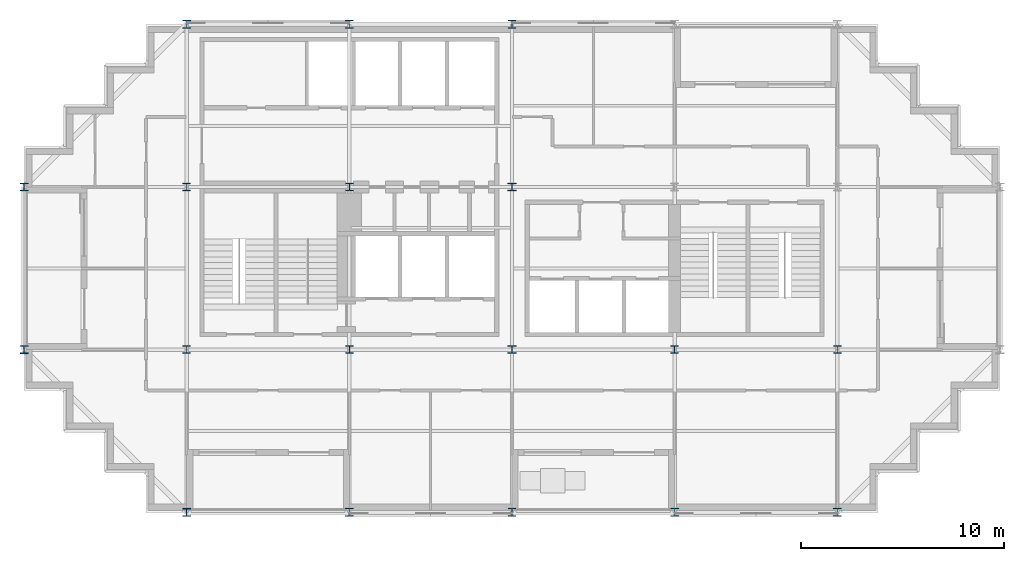
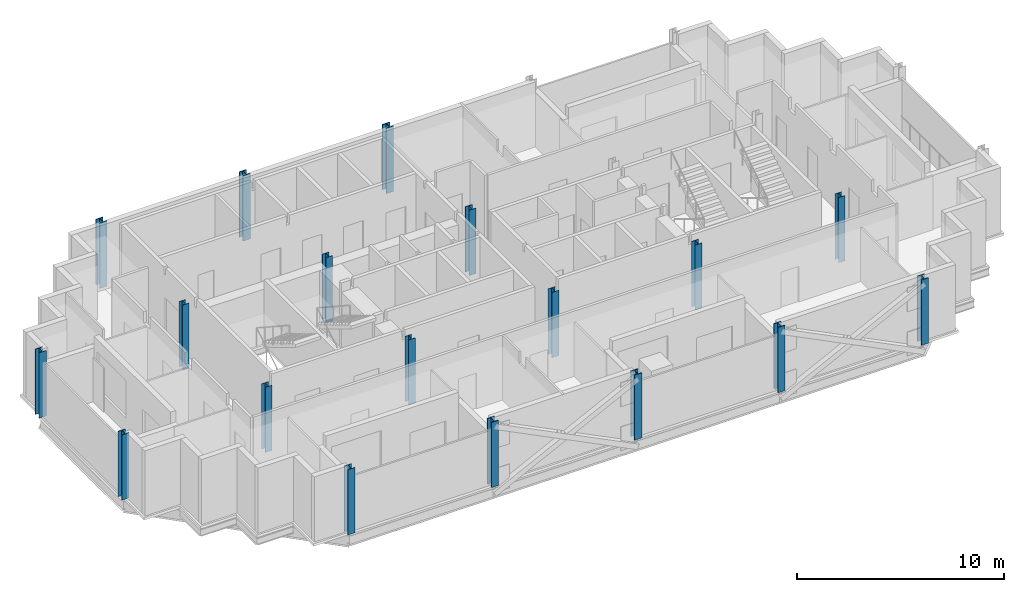
# One storey, part 1 of 10: 18 columns.
"""IFC4 building model written with IfcOpenShell, lengths in metres."""

from ifc_helpers import new_model, si_unit, direction, frame, origin, origin_2d, place, context, subcontext, project, spatial, i_section, extrude, material, material_profile, profile_set, type_object, element, save


model = new_model("IFC4")

# Units and contexts
model_context = context("Model", 3, precision=1e-05, world=origin(), true_north=direction((0.0, 1.0)))
body_context = subcontext(model_context, "Body", "Model", "MODEL_VIEW")
ifc_project = project(units=[si_unit("LENGTHUNIT", "METRE"), si_unit("AREAUNIT", "SQUARE_METRE"), si_unit("VOLUMEUNIT", "CUBIC_METRE"), si_unit("PLANEANGLEUNIT", "RADIAN"), si_unit("MASSUNIT", "GRAM", prefix="KILO")], contexts=[model_context])

# Site, building, storey
site_placement = place(None, origin())
site = spatial("IfcSite", under=ifc_project, at=site_placement, CompositionType="ELEMENT")
building_placement = place(site_placement, origin())
building = spatial("IfcBuilding", under=site, at=building_placement, Name="Immortelle Media Tower", CompositionType="ELEMENT")
storey_placement = place(building_placement, frame((0.0, 0.0, 221.0)))
storey = spatial("IfcBuildingStorey", under=building, at=storey_placement, Name="L47", CompositionType="ELEMENT", Elevation=221.0)

# Columns
ifc_material = material(Name="Steel ASTM A992 Gr 50", Category="steel")
ifc_material_profile_1 = material_profile(ifc_material, i_section(OverallWidth=0.373046875, OverallDepth=0.367919921875, WebThickness=0.014892578125, FlangeThickness=0.02392578125, at=origin_2d()), Name="W14x120")
ifc_profile_set_1 = profile_set([ifc_material_profile_1], Name="Steel ASTM A992 Gr 50")
column_type_1 = type_object("IfcColumnType", Name="W14x120 column", PredefinedType="COLUMN", material=ifc_profile_set_1)
for number, where, z_axis, x_axis, name in (
    (1, (8.0, 8.0, 0.0), (0.0, 0.0, 1.0), (1.0, 0.0, 0.0), "Column 2/B"),
    (2, (8.0, 16.0, 0.0), (0.0, 0.0, 1.0), (1.0, 0.0, 0.0), "Column 2/C"),
    (3, (16.0, 8.0, 0.0), (0.0, 0.0, 1.0), (1.0, 0.0, 0.0), "Column 3/B"),
    (4, (16.0, 16.0, 0.0), (0.0, 0.0, 1.0), (1.0, 0.0, 0.0), "Column 3/C"),
    (5, (32.0, 8.0, 0.0), (0.0, 0.0, 1.0), (1.0, 0.0, 0.0), "Column 5/B"),
    (6, (40.0, 8.0, 0.0), (0.0, 0.0, 1.0), (1.0, 0.0, 0.0), "Column 6/B"),
):
    element("IfcColumn", number, at=place(storey_placement, frame(where, z_axis=z_axis, x_axis=x_axis)), inside=storey, type_object=column_type_1, Name=name, PredefinedType="COLUMN", context=body_context, shape_type="SweptSolid", body=[
        extrude(i_section(OverallWidth=0.373046875, OverallDepth=0.367919921875, WebThickness=0.014892578125, FlangeThickness=0.02392578125, at=origin_2d()), origin(), (0.0, 0.0, 1.0), 3.85009765625),
    ])
ifc_material_profile_2 = material_profile(ifc_material, i_section(OverallWidth=0.39404296875, OverallDepth=0.3759765625, WebThickness=0.01708984375, FlangeThickness=0.028076171875, at=origin_2d()), Name="W14x145")
ifc_profile_set_2 = profile_set([ifc_material_profile_2], Name="Steel ASTM A992 Gr 50")
column_type_2 = type_object("IfcColumnType", Name="W14x145 column", PredefinedType="COLUMN", material=ifc_profile_set_2)
for number, where, z_axis, x_axis, name in (
    (7, (24.0, 8.0, 0.0), (0.0, 0.0, 1.0), (1.0, 0.0, 0.0), "Column 4/B"),
    (8, (24.0, 16.0, 0.0), (0.0, 0.0, 1.0), (1.0, 0.0, 0.0), "Column 4/C"),
):
    element("IfcColumn", number, at=place(storey_placement, frame(where, z_axis=z_axis, x_axis=x_axis)), inside=storey, type_object=column_type_2, Name=name, PredefinedType="COLUMN", context=body_context, shape_type="SweptSolid", body=[
        extrude(i_section(OverallWidth=0.39404296875, OverallDepth=0.3759765625, WebThickness=0.01708984375, FlangeThickness=0.028076171875, at=origin_2d()), origin(), (0.0, 0.0, 1.0), 3.85009765625),
    ])
ifc_material_profile_3 = material_profile(ifc_material, i_section(OverallWidth=0.39892578125, OverallDepth=0.385986328125, WebThickness=0.02099609375, FlangeThickness=0.032958984375, at=origin_2d()), Name="W14x176")
ifc_profile_set_3 = profile_set([ifc_material_profile_3], Name="Steel ASTM A992 Gr 50")
column_type_3 = type_object("IfcColumnType", Name="W14x176 column", PredefinedType="COLUMN", material=ifc_profile_set_3)
for number, where, z_axis, x_axis, name in (
    (9, (0.0, 8.0, 0.0), (0.0, 0.0, 1.0), (1.0, 0.0, 0.0), "Column 1/B"),
    (10, (0.0, 16.0, 0.0), (0.0, 0.0, 1.0), (1.0, 0.0, 0.0), "Column 1/C"),
    (11, (8.0, 0.0, 0.0), (0.0, 0.0, 1.0), (1.0, 0.0, 0.0), "Column 2/A"),
):
    element("IfcColumn", number, at=place(storey_placement, frame(where, z_axis=z_axis, x_axis=x_axis)), inside=storey, type_object=column_type_3, Name=name, PredefinedType="COLUMN", context=body_context, shape_type="SweptSolid", body=[
        extrude(i_section(OverallWidth=0.39892578125, OverallDepth=0.385986328125, WebThickness=0.02099609375, FlangeThickness=0.032958984375, at=origin_2d()), origin(), (0.0, 0.0, 1.0), 3.85009765625),
    ])
ifc_material_profile_4 = material_profile(ifc_material, i_section(OverallWidth=0.406005859375, OverallDepth=0.4169921875, WebThickness=0.030029296875, FlangeThickness=0.048095703125, at=origin_2d()), Name="W14x257")
ifc_profile_set_4 = profile_set([ifc_material_profile_4], Name="Steel ASTM A992 Gr 50")
column_type_4 = type_object("IfcColumnType", Name="W14x257 column", PredefinedType="COLUMN", material=ifc_profile_set_4)
for number, where, z_axis, x_axis, name in (
    (12, (8.0, 24.0, 0.0), (0.0, 0.0, 1.0), (1.0, 0.0, 0.0), "Column 2/D"),
    (13, (16.0, 0.0, 0.0), (0.0, 0.0, 1.0), (1.0, 0.0, 0.0), "Column 3/A"),
    (14, (16.0, 24.0, 0.0), (0.0, 0.0, 1.0), (1.0, 0.0, 0.0), "Column 3/D"),
    (15, (24.0, 0.0, 0.0), (0.0, 0.0, 1.0), (1.0, 0.0, 0.0), "Column 4/A"),
    (16, (24.0, 24.0, 0.0), (0.0, 0.0, 1.0), (1.0, 0.0, 0.0), "Column 4/D"),
    (17, (32.0, 0.0, 0.0), (0.0, 0.0, 1.0), (1.0, 0.0, 0.0), "Column 5/A"),
    (18, (40.0, 0.0, 0.0), (0.0, 0.0, 1.0), (1.0, 0.0, 0.0), "Column 6/A"),
):
    element("IfcColumn", number, at=place(storey_placement, frame(where, z_axis=z_axis, x_axis=x_axis)), inside=storey, type_object=column_type_4, Name=name, PredefinedType="COLUMN", context=body_context, shape_type="SweptSolid", body=[
        extrude(i_section(OverallWidth=0.406005859375, OverallDepth=0.4169921875, WebThickness=0.030029296875, FlangeThickness=0.048095703125, at=origin_2d()), origin(), (0.0, 0.0, 1.0), 3.85009765625),
    ])

save(model, "model.ifc")
